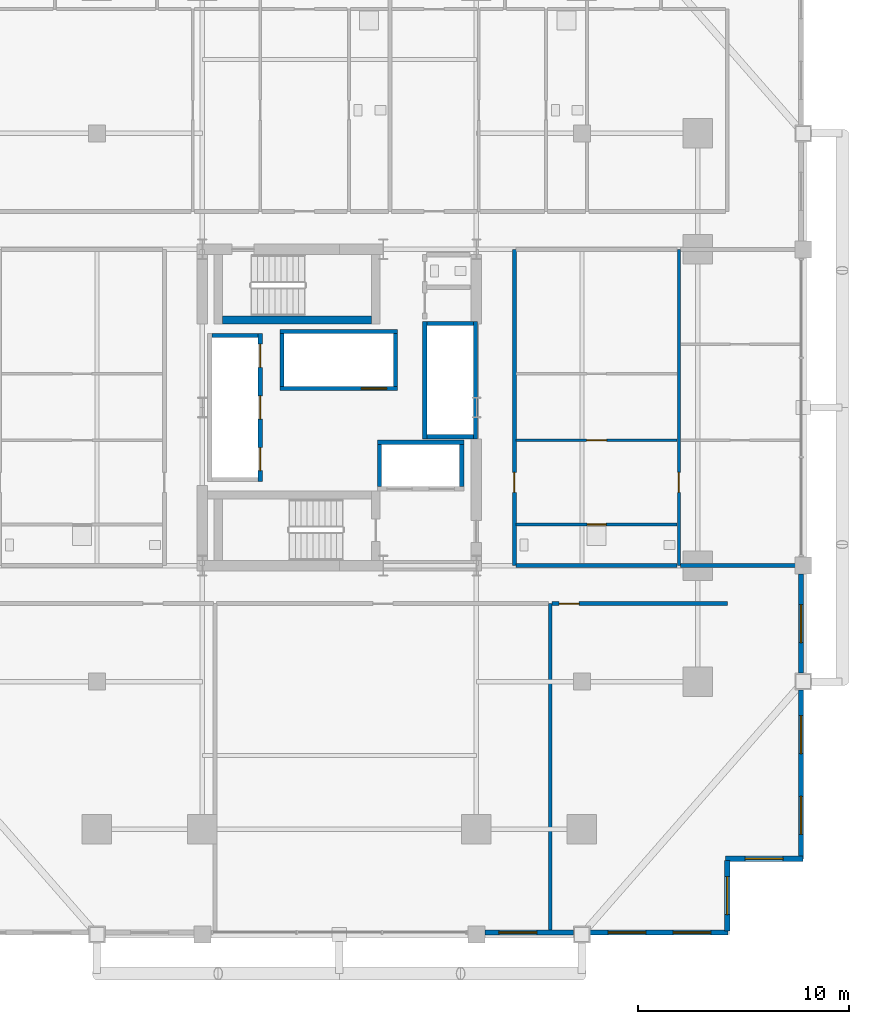
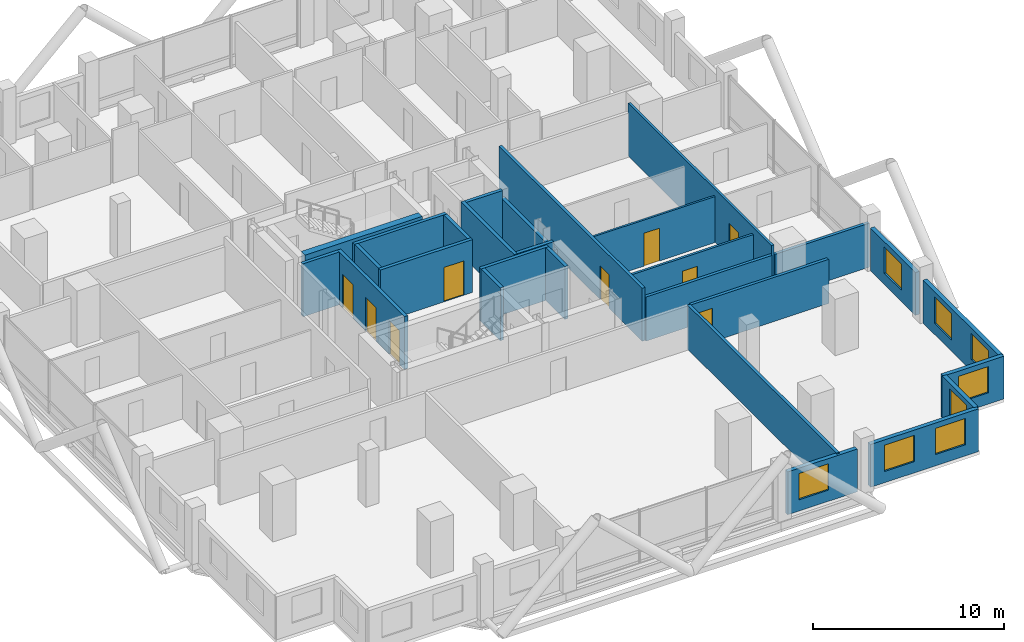
# One storey, part 22 of 27: 28 walls, 9 doors, 8 windows, 17 openings.
"""IFC4 building model written with IfcOpenShell, lengths in metres."""

from ifc_helpers import new_model, si_unit, direction, frame, frame_2d, origin, place, context, subcontext, project, spatial, rectangle, extrude, material, layer, layer_set, type_object, element, fill, save


model = new_model("IFC4")

# Units and contexts
model_context = context("Model", 3, precision=1e-05, world=origin(), true_north=direction((0.0, 1.0)))
body_context = subcontext(model_context, "Body", "Model", "MODEL_VIEW")
ifc_project = project(units=[si_unit("LENGTHUNIT", "METRE"), si_unit("AREAUNIT", "SQUARE_METRE"), si_unit("VOLUMEUNIT", "CUBIC_METRE"), si_unit("PLANEANGLEUNIT", "RADIAN"), si_unit("MASSUNIT", "GRAM", prefix="KILO")], contexts=[model_context])

# Site, building, storey
site_placement = place(None, origin())
site = spatial("IfcSite", under=ifc_project, at=site_placement, CompositionType="ELEMENT")
building_placement = place(site_placement, origin())
building = spatial("IfcBuilding", under=site, at=building_placement, Name="Barlavira Tower and Art Museum", CompositionType="ELEMENT")
storey_placement = place(building_placement, frame((0.0, 0.0, 61.199951171875)))
storey = spatial("IfcBuildingStorey", under=building, at=storey_placement, Name="L14", CompositionType="ELEMENT", Elevation=61.199951171875)

# Wall, opening, door
ifc_material_1 = material(Name="Gypsum acoustic stud partition", Category="gypsum")
ifc_layer_1 = layer(ifc_material_1, 0.1201171875, Name="Gypsum acoustic stud partition")
ifc_layer_set_1 = layer_set([ifc_layer_1], Name="Gypsum acoustic stud partition")
wall_type_1 = type_object("IfcWallType", Name="Apartment Internal Acoustic Partition 120", PredefinedType="PARTITIONING", material=ifc_layer_set_1)
wall_1_placement = place(storey_placement, frame((8.3798828125, -1.550048828125, 0.0), z_axis=(0.0, 0.0, 1.0), x_axis=(1.0, 0.0, 0.0)))
wall_1 = element("IfcWall", 1, at=wall_1_placement, inside=storey, type_object=wall_type_1, Name="L14 Partition Wall 32", PredefinedType="PARTITIONING", context=body_context, shape_type="SweptSolid", body=[
    extrude(rectangle(XDim=7.64013671875, YDim=0.1201171875, at=frame_2d((3.820068359375, 0.0))), origin(), (0.0, 0.0, 1.0), 2.947998046875),
])
opening_1_placement = place(wall_1_placement, frame((3.344970703125, 0.0, 0.0)))
opening_1 = element("IfcOpeningElement", 2, at=opening_1_placement, cuts=wall_1, Name="Opening D-02", PredefinedType="OPENING", context=body_context, shape_type="SweptSolid", body=[
    extrude(rectangle(XDim=0.949951171875, YDim=2.10009765625, at=frame_2d((0.47509765625, 1.050048828125))), frame((0.0, 0.070068359375, 0.0), z_axis=(0.0, -1.0, 0.0), x_axis=(1.0, 0.0, 0.0)), (0.0, 0.0, 1.0), 0.14013671875),
])
ifc_material_2 = material(Name="Engineered coastal hardwood", Category="wood")
door_type_1 = type_object("IfcDoorType", Name="Living and Salon Glazed-Leaf Door 950x2100", OperationType="NOTDEFINED", PredefinedType="DOOR", material=ifc_material_2)
door_1_placement = place(opening_1_placement, origin())
door_1 = element("IfcDoor", 3, at=door_1_placement, inside=storey, type_object=door_type_1, Name="Apartment E1 Kitchen Door", OperationType="SINGLE_SWING_LEFT", OverallHeight=2.10009765625, OverallWidth=0.949951171875, PredefinedType="DOOR", context=body_context, shape_type="SweptSolid", body=[
    extrude(rectangle(XDim=0.949951171875, YDim=2.10009765625, at=frame_2d((0.47509765625, 1.050048828125))), frame((0.0, 0.02490234375, 0.0), z_axis=(0.0, -1.0, 0.0), x_axis=(1.0, 0.0, 0.0)), (0.0, 0.0, 1.0), 0.050048828125),
])
fill(opening_1, door_1)

# Wall, openings, doors
ifc_material_3 = material(Name="Autoclaved aerated concrete masonry", Category="masonry")
ifc_layer_2 = layer(ifc_material_3, 0.199951171875, Name="Autoclaved aerated concrete masonry")
ifc_layer_set_2 = layer_set([ifc_layer_2], Name="Autoclaved aerated concrete masonry")
wall_type_2 = type_object("IfcWallType", Name="Fire Compartment and Shaft Wall 200", PredefinedType="SOLIDWALL", material=ifc_layer_set_2)
wall_2_placement = place(storey_placement, frame((-3.75, -3.510009765625, 0.0), z_axis=(0.0, 0.0, 1.0), x_axis=(0.0, 1.0, 0.0)))
wall_2 = element("IfcWall", 4, at=wall_2_placement, inside=storey, type_object=wall_type_2, Name="L14 Low-Rise Lift Front Shaft Wall", PredefinedType="SOLIDWALL", context=body_context, shape_type="SweptSolid", body=[
    extrude(rectangle(XDim=7.02001953125, YDim=0.199951171875, at=frame_2d((3.510009765625, 0.0))), origin(), (0.0, 0.0, 1.0), 3.380126953125),
])
opening_2_placement = place(wall_2_placement, frame((0.510009765625, 0.0, 0.0)))
opening_2 = element("IfcOpeningElement", 5, at=opening_2_placement, cuts=wall_2, Name="Opening LD-P", PredefinedType="OPENING", context=body_context, shape_type="SweptSolid", body=[
    extrude(rectangle(XDim=1.10009765625, YDim=2.14990234375, at=frame_2d((0.550048828125, 1.074951171875))), frame((0.0, 0.10986328125, 0.0), z_axis=(0.0, -1.0, 0.0), x_axis=(1.0, 0.0, 0.0)), (0.0, 0.0, 1.0), 0.219970703125),
])
opening_3_placement = place(wall_2_placement, frame((2.9599609375, 0.0, 0.0)))
opening_3 = element("IfcOpeningElement", 6, at=opening_3_placement, cuts=wall_2, Name="Opening LD-P", PredefinedType="OPENING", context=body_context, shape_type="SweptSolid", body=[
    extrude(rectangle(XDim=1.10009765625, YDim=2.14990234375, at=frame_2d((0.550048828125, 1.074951171875))), frame((0.0, 0.10986328125, 0.0), z_axis=(0.0, -1.0, 0.0), x_axis=(1.0, 0.0, 0.0)), (0.0, 0.0, 1.0), 0.219970703125),
])
opening_4_placement = place(wall_2_placement, frame((5.409912109375, 0.0, 0.0)))
opening_4 = element("IfcOpeningElement", 7, at=opening_4_placement, cuts=wall_2, Name="Opening LD-P", PredefinedType="OPENING", context=body_context, shape_type="SweptSolid", body=[
    extrude(rectangle(XDim=1.10009765625, YDim=2.14990234375, at=frame_2d((0.550048828125, 1.074951171875))), frame((0.0, 0.10986328125, 0.0), z_axis=(0.0, -1.0, 0.0), x_axis=(1.0, 0.0, 0.0)), (0.0, 0.0, 1.0), 0.219970703125),
])
ifc_material_4 = material(Name="Brushed stainless steel", Category="steel")
door_type_2 = type_object("IfcDoorType", Name="Passenger Lift Sliding Landing Door 1100x2150 FD60", OperationType="NOTDEFINED", PredefinedType="DOOR", material=ifc_material_4)
door_2_placement = place(opening_2_placement, origin())
door_2 = element("IfcDoor", 8, at=door_2_placement, inside=storey, type_object=door_type_2, Name="L14 Lift PL1 Sliding Landing Door", OperationType="DOUBLE_DOOR_SLIDING", OverallHeight=2.14990234375, OverallWidth=1.10009765625, PredefinedType="DOOR", context=body_context, shape_type="SweptSolid", body=[
    extrude(rectangle(XDim=1.10009765625, YDim=2.14990234375, at=frame_2d((0.550048828125, 1.074951171875))), frame((0.0, 0.02490234375, 0.0), z_axis=(0.0, -1.0, 0.0), x_axis=(1.0, 0.0, 0.0)), (0.0, 0.0, 1.0), 0.050048828125),
])
fill(opening_2, door_2)
door_3_placement = place(opening_3_placement, origin())
door_3 = element("IfcDoor", 9, at=door_3_placement, inside=storey, type_object=door_type_2, Name="L14 Lift PL2 Sliding Landing Door", OperationType="DOUBLE_DOOR_SLIDING", OverallHeight=2.14990234375, OverallWidth=1.10009765625, PredefinedType="DOOR", context=body_context, shape_type="SweptSolid", body=[
    extrude(rectangle(XDim=1.10009765625, YDim=2.14990234375, at=frame_2d((0.550048828125, 1.074951171875))), frame((0.0, 0.02490234375, 0.0), z_axis=(0.0, -1.0, 0.0), x_axis=(1.0, 0.0, 0.0)), (0.0, 0.0, 1.0), 0.050048828125),
])
fill(opening_3, door_3)
door_4_placement = place(opening_4_placement, origin())
door_4 = element("IfcDoor", 10, at=door_4_placement, inside=storey, type_object=door_type_2, Name="L14 Lift PL3 Sliding Landing Door", OperationType="DOUBLE_DOOR_SLIDING", OverallHeight=2.14990234375, OverallWidth=1.10009765625, PredefinedType="DOOR", context=body_context, shape_type="SweptSolid", body=[
    extrude(rectangle(XDim=1.10009765625, YDim=2.14990234375, at=frame_2d((0.550048828125, 1.074951171875))), frame((0.0, 0.02490234375, 0.0), z_axis=(0.0, -1.0, 0.0), x_axis=(1.0, 0.0, 0.0)), (0.0, 0.0, 1.0), 0.050048828125),
])
fill(opening_4, door_4)

# Walls
wall_3_placement = place(storey_placement, frame((-6.050048828125, 3.409912109375, 0.0), z_axis=(0.0, 0.0, 1.0), x_axis=(1.0, 0.0, 0.0)))
element("IfcWall", 11, at=wall_3_placement, inside=storey, type_object=wall_type_2, Name="L14 Low-Rise Lift North Shaft Wall", PredefinedType="SOLIDWALL", context=body_context, shape_type="SweptSolid", body=[
    extrude(rectangle(XDim=2.199951171875, YDim=0.199951171875, at=frame_2d((1.10009765625, 0.0))), origin(), (0.0, 0.0, 1.0), 3.380126953125),
])
wall_4_placement = place(storey_placement, frame((4.050048828125, -1.489990234375, 0.0), z_axis=(0.0, 0.0, 1.0), x_axis=(0.0, 1.0, 0.0)))
element("IfcWall", 12, at=wall_4_placement, inside=storey, type_object=wall_type_2, Name="L14 Mid-Rise Lift Front Shaft Wall", PredefinedType="SOLIDWALL", context=body_context, shape_type="SweptSolid", body=[
    extrude(rectangle(XDim=5.580078125, YDim=0.199951171875, at=frame_2d((2.7900390625, 0.0))), origin(), (0.0, 0.0, 1.0), 3.380126953125),
])
wall_5_placement = place(storey_placement, frame((6.449951171875, -1.489990234375, 0.0), z_axis=(0.0, 0.0, 1.0), x_axis=(0.0, 1.0, 0.0)))
element("IfcWall", 13, at=wall_5_placement, inside=storey, type_object=wall_type_2, Name="L14 Mid-Rise Lift Back Shaft Wall", PredefinedType="SOLIDWALL", context=body_context, shape_type="SweptSolid", body=[
    extrude(rectangle(XDim=5.580078125, YDim=0.199951171875, at=frame_2d((2.7900390625, 0.0))), origin(), (0.0, 0.0, 1.0), 2.816162109375),
])
for number, where, z_axis, x_axis, name in (
    (14, (4.14990234375, -1.389892578125, 0.0), (0.0, 0.0, 1.0), (1.0, 0.0, 0.0), "L14 Mid-Rise Lift South Shaft Wall"),
    (15, (4.14990234375, 3.989990234375, 0.0), (0.0, 0.0, 1.0), (1.0, 0.0, 0.0), "L14 Mid-Rise Lift North Shaft Wall"),
):
    element("IfcWall", number, at=place(storey_placement, frame(where, z_axis=z_axis, x_axis=x_axis)), inside=storey, type_object=wall_type_2, Name=name, PredefinedType="SOLIDWALL", context=body_context, shape_type="SweptSolid", body=[
        extrude(rectangle(XDim=2.2001953125, YDim=0.199951171875, at=frame_2d((1.10009765625, 0.0))), origin(), (0.0, 0.0, 1.0), 3.380126953125),
    ])

# Wall, opening, door
wall_6_placement = place(storey_placement, frame((-2.820068359375, 0.89990234375, 0.0), z_axis=(0.0, 0.0, 1.0), x_axis=(1.0, 0.0, 0.0)))
wall_6 = element("IfcWall", 16, at=wall_6_placement, inside=storey, type_object=wall_type_2, Name="L14 High-Rise & Service Lift Front Wall", PredefinedType="SOLIDWALL", context=body_context, shape_type="SweptSolid", body=[
    extrude(rectangle(XDim=5.580078125, YDim=0.199951171875, at=frame_2d((2.7900390625, 0.0))), origin(), (0.0, 0.0, 1.0), 3.380126953125),
])
opening_5_placement = place(wall_6_placement, frame((3.860107421875, 0.0, 0.0)))
opening_5 = element("IfcOpeningElement", 17, at=opening_5_placement, cuts=wall_6, Name="Opening LD-F", PredefinedType="OPENING", context=body_context, shape_type="SweptSolid", body=[
    extrude(rectangle(XDim=1.199951171875, YDim=2.199951171875, at=frame_2d((0.60009765625, 1.10009765625))), frame((0.0, 0.10986328125, 0.0), z_axis=(0.0, -1.0, 0.0), x_axis=(1.0, 0.0, 0.0)), (0.0, 0.0, 1.0), 0.219970703125),
])
door_type_3 = type_object("IfcDoorType", Name="Firefighting and Service Lift Sliding Door 1200x2200 FD120", OperationType="NOTDEFINED", PredefinedType="DOOR", material=ifc_material_4)
door_5_placement = place(opening_5_placement, origin())
door_5 = element("IfcDoor", 18, at=door_5_placement, inside=storey, type_object=door_type_3, Name="L14 Stretcher Service Lift SL1 Sliding Door", OperationType="DOUBLE_DOOR_SLIDING", OverallHeight=2.199951171875, OverallWidth=1.199951171875, PredefinedType="DOOR", context=body_context, shape_type="SweptSolid", body=[
    extrude(rectangle(XDim=1.199951171875, YDim=2.199951171875, at=frame_2d((0.60009765625, 1.10009765625))), frame((0.0, 0.02490234375, 0.0), z_axis=(0.0, -1.0, 0.0), x_axis=(1.0, 0.0, 0.0)), (0.0, 0.0, 1.0), 0.050048828125),
])
fill(opening_5, door_5)

# Walls
wall_7_placement = place(storey_placement, frame((-2.820068359375, 3.60009765625, 0.0), z_axis=(0.0, 0.0, 1.0), x_axis=(1.0, 0.0, 0.0)))
element("IfcWall", 19, at=wall_7_placement, inside=storey, type_object=wall_type_2, Name="L14 High-Rise & Service Lift Back Wall", PredefinedType="SOLIDWALL", context=body_context, shape_type="SweptSolid", body=[
    extrude(rectangle(XDim=5.580078125, YDim=0.199951171875, at=frame_2d((2.7900390625, 0.0))), origin(), (0.0, 0.0, 1.0), 3.380126953125),
])
for number, where, z_axis, x_axis, name in (
    (20, (-2.719970703125, 1.0, 0.0), (0.0, 0.0, 1.0), (0.0, 1.0, 0.0), "L14 High-Rise & Service Lift West Wall"),
    (21, (2.659912109375, 1.0, 0.0), (0.0, 0.0, 1.0), (0.0, 1.0, 0.0), "L14 High-Rise & Service Lift East Wall"),
):
    element("IfcWall", number, at=place(storey_placement, frame(where, z_axis=z_axis, x_axis=x_axis)), inside=storey, type_object=wall_type_2, Name=name, PredefinedType="SOLIDWALL", context=body_context, shape_type="SweptSolid", body=[
        extrude(rectangle(XDim=2.5, YDim=0.199951171875, at=frame_2d((1.25, 0.0))), origin(), (0.0, 0.0, 1.0), 3.380126953125),
    ])
wall_8_placement = place(storey_placement, frame((1.800048828125, -1.64990234375, 0.0), z_axis=(0.0, 0.0, 1.0), x_axis=(1.0, 0.0, 0.0)))
element("IfcWall", 22, at=wall_8_placement, inside=storey, type_object=wall_type_2, Name="L14 Firefighting Lift Back Shaft Wall", PredefinedType="SOLIDWALL", context=body_context, shape_type="SweptSolid", body=[
    extrude(rectangle(XDim=4.099853515625, YDim=0.199951171875, at=frame_2d((2.0498046875, 0.0))), origin(), (0.0, 0.0, 1.0), 3.380126953125),
])
for number, where, z_axis, x_axis, name in (
    (23, (1.89990234375, -3.75, 0.0), (0.0, 0.0, 1.0), (0.0, 1.0, 0.0), "L14 Firefighting Lift West Shaft Wall"),
    (24, (5.800048828125, -3.75, 0.0), (0.0, 0.0, 1.0), (0.0, 1.0, 0.0), "L14 Firefighting Lift East Shaft Wall"),
):
    element("IfcWall", number, at=place(storey_placement, frame(where, z_axis=z_axis, x_axis=x_axis)), inside=storey, type_object=wall_type_2, Name=name, PredefinedType="SOLIDWALL", context=body_context, shape_type="SweptSolid", body=[
        extrude(rectangle(XDim=2.0, YDim=0.199951171875, at=frame_2d((1.0, 0.0))), origin(), (0.0, 0.0, 1.0), 3.380126953125),
    ])

# Wall, opening, door
ifc_layer_3 = layer(ifc_material_1, 0.179931640625, Name="Gypsum acoustic stud partition")
ifc_layer_set_3 = layer_set([ifc_layer_3], Name="Gypsum acoustic stud partition")
wall_type_3 = type_object("IfcWallType", Name="Inter-Tenancy Party Partition Wall 180", PredefinedType="PARTITIONING", material=ifc_layer_set_3)
wall_9_placement = place(storey_placement, frame((8.300048828125, -7.5, 0.0), z_axis=(0.0, 0.0, 1.0), x_axis=(0.0, 1.0, 0.0)))
wall_9 = element("IfcWall", 25, at=wall_9_placement, inside=storey, type_object=wall_type_3, Name="L14 Partition Wall 14", PredefinedType="PARTITIONING", context=body_context, shape_type="SweptSolid", body=[
    extrude(rectangle(XDim=15.0, YDim=0.179931640625, at=frame_2d((7.5, 0.0))), origin(), (0.0, 0.0, 1.0), 3.380126953125),
])
opening_6_placement = place(wall_9_placement, frame((3.47509765625, 0.0, 0.0)))
opening_6 = element("IfcOpeningElement", 26, at=opening_6_placement, cuts=wall_9, Name="Opening FD-60", PredefinedType="OPENING", context=body_context, shape_type="SweptSolid", body=[
    extrude(rectangle(XDim=0.949951171875, YDim=2.14990234375, at=frame_2d((0.47509765625, 1.074951171875))), frame((0.0, 0.10009765625, 0.0), z_axis=(0.0, -1.0, 0.0), x_axis=(1.0, 0.0, 0.0)), (0.0, 0.0, 1.0), 0.199951171875),
])
door_type_4 = type_object("IfcDoorType", Name="Apartment Entrance and Riser Fire Door 950x2150 FD60S", OperationType="NOTDEFINED", PredefinedType="DOOR", material=ifc_material_4)
door_6_placement = place(opening_6_placement, origin())
door_6 = element("IfcDoor", 27, at=door_6_placement, inside=storey, type_object=door_type_4, Name="Apartment Entrance Hall E1 Door", OperationType="SINGLE_SWING_RIGHT", OverallHeight=2.14990234375, OverallWidth=0.949951171875, PredefinedType="DOOR", context=body_context, shape_type="SweptSolid", body=[
    extrude(rectangle(XDim=0.949951171875, YDim=2.14990234375, at=frame_2d((0.47509765625, 1.074951171875))), frame((0.0, 0.02490234375, 0.0), z_axis=(0.0, -1.0, 0.0), x_axis=(1.0, 0.0, 0.0)), (0.0, 0.0, 1.0), 0.050048828125),
])
fill(opening_6, door_6)

# Wall
wall_10_placement = place(storey_placement, frame((10.0, -24.89990234375, 0.0), z_axis=(0.0, 0.0, 1.0), x_axis=(0.0, 1.0, 0.0)))
element("IfcWall", 28, at=wall_10_placement, inside=storey, type_object=wall_type_3, Name="L14 Partition Wall 16", PredefinedType="PARTITIONING", context=body_context, shape_type="SweptSolid", body=[
    extrude(rectangle(XDim=15.599853515625, YDim=0.179931640625, at=frame_2d((7.7998046875, 0.0))), origin(), (0.0, 0.0, 1.0), 2.816162109375),
])

# Wall, opening, door
wall_11_placement = place(storey_placement, frame((10.080078125, -9.300048828125, 0.0), z_axis=(0.0, 0.0, 1.0), x_axis=(1.0, 0.0, 0.0)))
wall_11 = element("IfcWall", 29, at=wall_11_placement, inside=storey, type_object=wall_type_3, Name="L14 Partition Wall 23", PredefinedType="PARTITIONING", context=body_context, shape_type="SweptSolid", body=[
    extrude(rectangle(XDim=8.31982421875, YDim=0.179931640625, at=frame_2d((4.159912109375, 0.0))), origin(), (0.0, 0.0, 1.0), 2.816162109375),
])
opening_7_placement = place(wall_11_placement, frame((0.344970703125, 0.0, 0.0)))
opening_7 = element("IfcOpeningElement", 30, at=opening_7_placement, cuts=wall_11, Name="Opening FD-60", PredefinedType="OPENING", context=body_context, shape_type="SweptSolid", body=[
    extrude(rectangle(XDim=0.949951171875, YDim=2.14990234375, at=frame_2d((0.47509765625, 1.074951171875))), frame((0.0, 0.10009765625, 0.0), z_axis=(0.0, -1.0, 0.0), x_axis=(1.0, 0.0, 0.0)), (0.0, 0.0, 1.0), 0.199951171875),
])
door_7_placement = place(opening_7_placement, origin())
door_7 = element("IfcDoor", 31, at=door_7_placement, inside=storey, type_object=door_type_4, Name="Shared Coworking Espresso Pantry Door", OperationType="SINGLE_SWING_LEFT", OverallHeight=2.14990234375, OverallWidth=0.949951171875, PredefinedType="DOOR", context=body_context, shape_type="SweptSolid", body=[
    extrude(rectangle(XDim=0.949951171875, YDim=2.14990234375, at=frame_2d((0.47509765625, 1.074951171875))), frame((0.0, 0.02490234375, 0.0), z_axis=(0.0, -1.0, 0.0), x_axis=(1.0, 0.0, 0.0)), (0.0, 0.0, 1.0), 0.050048828125),
])
fill(opening_7, door_7)

# Walls
wall_12_placement = place(storey_placement, frame((8.3798828125, -7.5, 0.0), z_axis=(0.0, 0.0, 1.0), x_axis=(1.0, 0.0, 0.0)))
element("IfcWall", 32, at=wall_12_placement, inside=storey, type_object=wall_type_3, Name="L14 Partition Wall 26", PredefinedType="PARTITIONING", context=body_context, shape_type="SweptSolid", body=[
    extrude(rectangle(XDim=7.64013671875, YDim=0.179931640625, at=frame_2d((3.820068359375, 0.0))), origin(), (0.0, 0.0, 1.0), 2.816162109375),
])
wall_13_placement = place(storey_placement, frame((16.179931640625, -7.5, 0.0), z_axis=(0.0, 0.0, 1.0), x_axis=(1.0, 0.0, 0.0)))
element("IfcWall", 33, at=wall_13_placement, inside=storey, type_object=wall_type_3, Name="L14 Partition Wall 27", PredefinedType="PARTITIONING", context=body_context, shape_type="SweptSolid", body=[
    extrude(rectangle(XDim=5.719970703125, YDim=0.179931640625, at=frame_2d((2.85986328125, 0.0))), origin(), (0.0, 0.0, 1.0), 2.816162109375),
])

# Wall, opening, door
ifc_layer_4 = layer(ifc_material_1, 0.139892578125, Name="Gypsum acoustic stud partition")
ifc_layer_set_4 = layer_set([ifc_layer_4], Name="Gypsum acoustic stud partition")
wall_type_4 = type_object("IfcWallType", Name="Moisture-Resistant Bathroom Partition 140", PredefinedType="PARTITIONING", material=ifc_layer_set_4)
wall_14_placement = place(storey_placement, frame((16.10009765625, -7.5, 0.0), z_axis=(0.0, 0.0, 1.0), x_axis=(0.0, 1.0, 0.0)))
wall_14 = element("IfcWall", 34, at=wall_14_placement, inside=storey, type_object=wall_type_4, Name="L14 Partition Wall 19", PredefinedType="PARTITIONING", context=body_context, shape_type="SweptSolid", body=[
    extrude(rectangle(XDim=15.0, YDim=0.139892578125, at=frame_2d((7.5, 0.0))), origin(), (0.0, 0.0, 1.0), 3.380126953125),
])
opening_8_placement = place(wall_14_placement, frame((3.47509765625, 0.0, 0.0)))
opening_8 = element("IfcOpeningElement", 35, at=opening_8_placement, cuts=wall_14, Name="Opening D-02", PredefinedType="OPENING", context=body_context, shape_type="SweptSolid", body=[
    extrude(rectangle(XDim=0.949951171875, YDim=2.10009765625, at=frame_2d((0.47509765625, 1.050048828125))), frame((0.0, 0.080078125, 0.0), z_axis=(0.0, -1.0, 0.0), x_axis=(1.0, 0.0, 0.0)), (0.0, 0.0, 1.0), 0.159912109375),
])
door_8_placement = place(opening_8_placement, origin())
door_8 = element("IfcDoor", 36, at=door_8_placement, inside=storey, type_object=door_type_1, Name="Apartment E1 Living Lounge Door", OperationType="SINGLE_SWING_LEFT", OverallHeight=2.10009765625, OverallWidth=0.949951171875, PredefinedType="DOOR", context=body_context, shape_type="SweptSolid", body=[
    extrude(rectangle(XDim=0.949951171875, YDim=2.10009765625, at=frame_2d((0.47509765625, 1.050048828125))), frame((0.0, 0.02490234375, 0.0), z_axis=(0.0, -1.0, 0.0), x_axis=(1.0, 0.0, 0.0)), (0.0, 0.0, 1.0), 0.050048828125),
])
fill(opening_8, door_8)

wall_15_placement = place(storey_placement, frame((8.3798828125, -5.550048828125, 0.0), z_axis=(0.0, 0.0, 1.0), x_axis=(1.0, 0.0, 0.0)))
wall_15 = element("IfcWall", 37, at=wall_15_placement, inside=storey, type_object=wall_type_4, Name="L14 Partition Wall 29", PredefinedType="PARTITIONING", context=body_context, shape_type="SweptSolid", body=[
    extrude(rectangle(XDim=7.64013671875, YDim=0.139892578125, at=frame_2d((3.820068359375, 0.0))), origin(), (0.0, 0.0, 1.0), 2.947998046875),
])
opening_9_placement = place(wall_15_placement, frame((3.3701171875, 0.0, 0.0)))
opening_9 = element("IfcOpeningElement", 38, at=opening_9_placement, cuts=wall_15, Name="Opening D-WC", PredefinedType="OPENING", context=body_context, shape_type="SweptSolid", body=[
    extrude(rectangle(XDim=0.89990234375, YDim=2.10009765625, at=frame_2d((0.449951171875, 1.050048828125))), frame((0.0, 0.080078125, 0.0), z_axis=(0.0, -1.0, 0.0), x_axis=(1.0, 0.0, 0.0)), (0.0, 0.0, 1.0), 0.159912109375),
])
door_type_5 = type_object("IfcDoorType", Name="Accessible Bathroom Flush Door 900x2100", OperationType="NOTDEFINED", PredefinedType="DOOR", material=ifc_material_2)
door_9_placement = place(opening_9_placement, origin())
door_9 = element("IfcDoor", 39, at=door_9_placement, inside=storey, type_object=door_type_5, Name="Apartment E1 Hall Bathroom Door", OperationType="SINGLE_SWING_LEFT", OverallHeight=2.10009765625, OverallWidth=0.89990234375, PredefinedType="DOOR", context=body_context, shape_type="SweptSolid", body=[
    extrude(rectangle(XDim=0.89990234375, YDim=2.10009765625, at=frame_2d((0.449951171875, 1.050048828125))), frame((0.0, 0.02490234375, 0.0), z_axis=(0.0, -1.0, 0.0), x_axis=(1.0, 0.0, 0.0)), (0.0, 0.0, 1.0), 0.050048828125),
])
fill(opening_9, door_9)

# Wall, opening, window
ifc_material_5 = material(Name="Precast concrete C40", Category="concrete")
ifc_layer_5 = layer(ifc_material_5, 0.25, Name="Precast concrete C40")
ifc_layer_set_5 = layer_set([ifc_layer_5], Name="Precast concrete C40")
wall_type_5 = type_object("IfcWallType", Name="Notched Corner Spandrel Wall 250 Precast Concrete C40", PredefinedType="SOLIDWALL", material=ifc_layer_set_5)
wall_16_placement = place(storey_placement, frame((6.89501953125, -24.89990234375, 0.0), z_axis=(0.0, 0.0, 1.0), x_axis=(1.0, 0.0, 0.0)))
wall_16 = element("IfcWall", 40, at=wall_16_placement, inside=storey, type_object=wall_type_5, Name="L14 Coastal Facade Pier Wall CW1-L14-S-4", PredefinedType="SOLIDWALL", context=body_context, shape_type="SweptSolid", body=[
    extrude(rectangle(XDim=4.2099609375, YDim=0.25, at=frame_2d((2.10498046875, 0.0))), origin(), (0.0, 0.0, 1.0), 2.736083984375),
])
opening_10_placement = place(wall_16_placement, frame((0.675048828125, 0.0, 0.719970703125)))
opening_10 = element("IfcOpeningElement", 41, at=opening_10_placement, cuts=wall_16, Name="Opening WN-01", PredefinedType="OPENING", context=body_context, shape_type="SweptSolid", body=[
    extrude(rectangle(XDim=1.800048828125, YDim=1.679931640625, at=frame_2d((0.89990234375, 0.83984375))), frame((0.0, 0.135009765625, 0.0), z_axis=(0.0, -1.0, 0.0), x_axis=(1.0, 0.0, 0.0)), (0.0, 0.0, 1.0), 0.27001953125),
])
ifc_material_6 = material(Name="Low-iron coastal laminated glass", Category="glass")
window_type = type_object("IfcWindowType", Name="Recessed Notch Corner Punch Window 1800x1680", PartitioningType="SINGLE_PANEL", PredefinedType="WINDOW", material=ifc_material_6)
window_1_placement = place(opening_10_placement, origin())
window_1 = element("IfcWindow", 42, at=window_1_placement, inside=storey, type_object=window_type, Name="L14 Punched Facade Window EWP-CW1-L14-S-4-1", OverallHeight=1.679931640625, OverallWidth=1.800048828125, PartitioningType="SINGLE_PANEL", PredefinedType="WINDOW", context=body_context, shape_type="SweptSolid", body=[
    extrude(rectangle(XDim=1.800048828125, YDim=1.679931640625, at=frame_2d((0.89990234375, 0.83984375))), frame((0.0, 0.030029296875, 0.0), z_axis=(0.0, -1.0, 0.0), x_axis=(1.0, 0.0, 0.0)), (0.0, 0.0, 1.0), 0.06005859375),
])
fill(opening_10, window_1)

# Wall, openings, windows
wall_17_placement = place(storey_placement, frame((11.89501953125, -24.89990234375, 0.0), z_axis=(0.0, 0.0, 1.0), x_axis=(1.0, 0.0, 0.0)))
wall_17 = element("IfcWall", 43, at=wall_17_placement, inside=storey, type_object=wall_type_5, Name="L14 Coastal Facade Pier Wall CW1-L14-S-5", PredefinedType="SOLIDWALL", context=body_context, shape_type="SweptSolid", body=[
    extrude(rectangle(XDim=6.530029296875, YDim=0.25, at=frame_2d((3.26513671875, 0.0))), origin(), (0.0, 0.0, 1.0), 2.736083984375),
])
opening_11_placement = place(wall_17_placement, frame((0.845947265625, 0.0, 0.719970703125)))
opening_11 = element("IfcOpeningElement", 44, at=opening_11_placement, cuts=wall_17, Name="Opening WN-01", PredefinedType="OPENING", context=body_context, shape_type="SweptSolid", body=[
    extrude(rectangle(XDim=1.800048828125, YDim=1.679931640625, at=frame_2d((0.89990234375, 0.83984375))), frame((0.0, 0.135009765625, 0.0), z_axis=(0.0, -1.0, 0.0), x_axis=(1.0, 0.0, 0.0)), (0.0, 0.0, 1.0), 0.27001953125),
])
opening_12_placement = place(wall_17_placement, frame((3.928955078125, 0.0, 0.719970703125)))
opening_12 = element("IfcOpeningElement", 45, at=opening_12_placement, cuts=wall_17, Name="Opening WN-01", PredefinedType="OPENING", context=body_context, shape_type="SweptSolid", body=[
    extrude(rectangle(XDim=1.800048828125, YDim=1.679931640625, at=frame_2d((0.89990234375, 0.83984375))), frame((0.0, 0.135009765625, 0.0), z_axis=(0.0, -1.0, 0.0), x_axis=(1.0, 0.0, 0.0)), (0.0, 0.0, 1.0), 0.27001953125),
])
window_2_placement = place(opening_11_placement, origin())
window_2 = element("IfcWindow", 46, at=window_2_placement, inside=storey, type_object=window_type, Name="L14 Punched Facade Window EWP-CW1-L14-S-5-1", OverallHeight=1.679931640625, OverallWidth=1.800048828125, PartitioningType="SINGLE_PANEL", PredefinedType="WINDOW", context=body_context, shape_type="SweptSolid", body=[
    extrude(rectangle(XDim=1.800048828125, YDim=1.679931640625, at=frame_2d((0.89990234375, 0.83984375))), frame((0.0, 0.030029296875, 0.0), z_axis=(0.0, -1.0, 0.0), x_axis=(1.0, 0.0, 0.0)), (0.0, 0.0, 1.0), 0.06005859375),
])
fill(opening_11, window_2)
window_3_placement = place(opening_12_placement, origin())
window_3 = element("IfcWindow", 47, at=window_3_placement, inside=storey, type_object=window_type, Name="L14 Punched Facade Window EWP-CW1-L14-S-5-2", OverallHeight=1.679931640625, OverallWidth=1.800048828125, PartitioningType="SINGLE_PANEL", PredefinedType="WINDOW", context=body_context, shape_type="SweptSolid", body=[
    extrude(rectangle(XDim=1.800048828125, YDim=1.679931640625, at=frame_2d((0.89990234375, 0.83984375))), frame((0.0, 0.030029296875, 0.0), z_axis=(0.0, -1.0, 0.0), x_axis=(1.0, 0.0, 0.0)), (0.0, 0.0, 1.0), 0.06005859375),
])
fill(opening_12, window_3)

wall_18_placement = place(storey_placement, frame((21.89990234375, -21.425048828125, 0.0), z_axis=(0.0, 0.0, 1.0), x_axis=(0.0, 1.0, 0.0)))
wall_18 = element("IfcWall", 48, at=wall_18_placement, inside=storey, type_object=wall_type_5, Name="L14 Coastal Facade Pier Wall CW1-L14-E-1", PredefinedType="SOLIDWALL", context=body_context, shape_type="SweptSolid", body=[
    extrude(rectangle(XDim=8.030029296875, YDim=0.25, at=frame_2d((4.01513671875, 0.0))), origin(), (0.0, 0.0, 1.0), 2.736083984375),
])
opening_13_placement = place(wall_18_placement, frame((1.176025390625, 0.0, 0.719970703125)))
opening_13 = element("IfcOpeningElement", 49, at=opening_13_placement, cuts=wall_18, Name="Opening WN-01", PredefinedType="OPENING", context=body_context, shape_type="SweptSolid", body=[
    extrude(rectangle(XDim=1.800048828125, YDim=1.679931640625, at=frame_2d((0.89990234375, 0.83984375))), frame((0.0, 0.135009765625, 0.0), z_axis=(0.0, -1.0, 0.0), x_axis=(1.0, 0.0, 0.0)), (0.0, 0.0, 1.0), 0.27001953125),
])
opening_14_placement = place(wall_18_placement, frame((5.009033203125, 0.0, 0.719970703125)))
opening_14 = element("IfcOpeningElement", 50, at=opening_14_placement, cuts=wall_18, Name="Opening WN-01", PredefinedType="OPENING", context=body_context, shape_type="SweptSolid", body=[
    extrude(rectangle(XDim=1.800048828125, YDim=1.679931640625, at=frame_2d((0.89990234375, 0.83984375))), frame((0.0, 0.135009765625, 0.0), z_axis=(0.0, -1.0, 0.0), x_axis=(1.0, 0.0, 0.0)), (0.0, 0.0, 1.0), 0.27001953125),
])
window_4_placement = place(opening_13_placement, origin())
window_4 = element("IfcWindow", 51, at=window_4_placement, inside=storey, type_object=window_type, Name="L14 Punched Facade Window EWP-CW1-L14-E-1-1", OverallHeight=1.679931640625, OverallWidth=1.800048828125, PartitioningType="SINGLE_PANEL", PredefinedType="WINDOW", context=body_context, shape_type="SweptSolid", body=[
    extrude(rectangle(XDim=1.800048828125, YDim=1.679931640625, at=frame_2d((0.89990234375, 0.83984375))), frame((0.0, 0.030029296875, 0.0), z_axis=(0.0, -1.0, 0.0), x_axis=(1.0, 0.0, 0.0)), (0.0, 0.0, 1.0), 0.06005859375),
])
fill(opening_13, window_4)
window_5_placement = place(opening_14_placement, origin())
window_5 = element("IfcWindow", 52, at=window_5_placement, inside=storey, type_object=window_type, Name="L14 Punched Facade Window EWP-CW1-L14-E-1-2", OverallHeight=1.679931640625, OverallWidth=1.800048828125, PartitioningType="SINGLE_PANEL", PredefinedType="WINDOW", context=body_context, shape_type="SweptSolid", body=[
    extrude(rectangle(XDim=1.800048828125, YDim=1.679931640625, at=frame_2d((0.89990234375, 0.83984375))), frame((0.0, 0.030029296875, 0.0), z_axis=(0.0, -1.0, 0.0), x_axis=(1.0, 0.0, 0.0)), (0.0, 0.0, 1.0), 0.06005859375),
])
fill(opening_14, window_5)

# Wall, opening, window
wall_19_placement = place(storey_placement, frame((21.89990234375, -12.60498046875, 0.0), z_axis=(0.0, 0.0, 1.0), x_axis=(0.0, 1.0, 0.0)))
wall_19 = element("IfcWall", 53, at=wall_19_placement, inside=storey, type_object=wall_type_5, Name="L14 Coastal Facade Pier Wall CW1-L14-E-2", PredefinedType="SOLIDWALL", context=body_context, shape_type="SweptSolid", body=[
    extrude(rectangle(XDim=4.7099609375, YDim=0.25, at=frame_2d((2.35498046875, 0.0))), origin(), (0.0, 0.0, 1.0), 2.736083984375),
])
opening_15_placement = place(wall_19_placement, frame((1.455078125, 0.0, 0.719970703125)))
opening_15 = element("IfcOpeningElement", 54, at=opening_15_placement, cuts=wall_19, Name="Opening WN-01", PredefinedType="OPENING", context=body_context, shape_type="SweptSolid", body=[
    extrude(rectangle(XDim=1.800048828125, YDim=1.679931640625, at=frame_2d((0.89990234375, 0.83984375))), frame((0.0, 0.135009765625, 0.0), z_axis=(0.0, -1.0, 0.0), x_axis=(1.0, 0.0, 0.0)), (0.0, 0.0, 1.0), 0.27001953125),
])
window_6_placement = place(opening_15_placement, origin())
window_6 = element("IfcWindow", 55, at=window_6_placement, inside=storey, type_object=window_type, Name="L14 Punched Facade Window EWP-CW1-L14-E-2-1", OverallHeight=1.679931640625, OverallWidth=1.800048828125, PartitioningType="SINGLE_PANEL", PredefinedType="WINDOW", context=body_context, shape_type="SweptSolid", body=[
    extrude(rectangle(XDim=1.800048828125, YDim=1.679931640625, at=frame_2d((0.89990234375, 0.83984375))), frame((0.0, 0.030029296875, 0.0), z_axis=(0.0, -1.0, 0.0), x_axis=(1.0, 0.0, 0.0)), (0.0, 0.0, 1.0), 0.06005859375),
])
fill(opening_15, window_6)

wall_20_placement = place(storey_placement, frame((18.39990234375, -24.820068359375, 0.0), z_axis=(0.0, 0.0, 1.0), x_axis=(0.0, 1.0, 0.0)))
wall_20 = element("IfcWall", 56, at=wall_20_placement, inside=storey, type_object=wall_type_5, Name="L14 Notch Corner Wall SE1", PredefinedType="SOLIDWALL", context=body_context, shape_type="SweptSolid", body=[
    extrude(rectangle(XDim=3.340087890625, YDim=0.25, at=frame_2d((1.669921875, 0.0))), origin(), (0.0, 0.0, 1.0), 2.736083984375),
])
opening_16_placement = place(wall_20_placement, frame((0.77001953125, 0.0, 0.719970703125)))
opening_16 = element("IfcOpeningElement", 57, at=opening_16_placement, cuts=wall_20, Name="Opening WN-01", PredefinedType="OPENING", context=body_context, shape_type="SweptSolid", body=[
    extrude(rectangle(XDim=1.800048828125, YDim=1.679931640625, at=frame_2d((0.89990234375, 0.83984375))), frame((0.0, 0.135009765625, 0.0), z_axis=(0.0, -1.0, 0.0), x_axis=(1.0, 0.0, 0.0)), (0.0, 0.0, 1.0), 0.27001953125),
])
window_7_placement = place(opening_16_placement, origin())
window_7 = element("IfcWindow", 58, at=window_7_placement, inside=storey, type_object=window_type, Name="L14 Punched Facade Window EW-NTC-L14-SE1-1", OverallHeight=1.679931640625, OverallWidth=1.800048828125, PartitioningType="SINGLE_PANEL", PredefinedType="WINDOW", context=body_context, shape_type="SweptSolid", body=[
    extrude(rectangle(XDim=1.800048828125, YDim=1.679931640625, at=frame_2d((0.89990234375, 0.83984375))), frame((0.0, 0.030029296875, 0.0), z_axis=(0.0, -1.0, 0.0), x_axis=(1.0, 0.0, 0.0)), (0.0, 0.0, 1.0), 0.06005859375),
])
fill(opening_16, window_7)

wall_21_placement = place(storey_placement, frame((18.320068359375, -21.39990234375, 0.0), z_axis=(0.0, 0.0, 1.0), x_axis=(1.0, 0.0, 0.0)))
wall_21 = element("IfcWall", 59, at=wall_21_placement, inside=storey, type_object=wall_type_5, Name="L14 Notch Corner Wall SE2", PredefinedType="SOLIDWALL", context=body_context, shape_type="SweptSolid", body=[
    extrude(rectangle(XDim=3.659912109375, YDim=0.25, at=frame_2d((1.830078125, 0.0))), origin(), (0.0, 0.0, 1.0), 2.736083984375),
])
opening_17_placement = place(wall_21_placement, frame((0.929931640625, 0.0, 0.719970703125)))
opening_17 = element("IfcOpeningElement", 60, at=opening_17_placement, cuts=wall_21, Name="Opening WN-01", PredefinedType="OPENING", context=body_context, shape_type="SweptSolid", body=[
    extrude(rectangle(XDim=1.800048828125, YDim=1.679931640625, at=frame_2d((0.89990234375, 0.83984375))), frame((0.0, 0.135009765625, 0.0), z_axis=(0.0, -1.0, 0.0), x_axis=(1.0, 0.0, 0.0)), (0.0, 0.0, 1.0), 0.27001953125),
])
window_8_placement = place(opening_17_placement, origin())
window_8 = element("IfcWindow", 61, at=window_8_placement, inside=storey, type_object=window_type, Name="L14 Punched Facade Window EW-NTC-L14-SE2-1", OverallHeight=1.679931640625, OverallWidth=1.800048828125, PartitioningType="SINGLE_PANEL", PredefinedType="WINDOW", context=body_context, shape_type="SweptSolid", body=[
    extrude(rectangle(XDim=1.800048828125, YDim=1.679931640625, at=frame_2d((0.89990234375, 0.83984375))), frame((0.0, 0.030029296875, 0.0), z_axis=(0.0, -1.0, 0.0), x_axis=(1.0, 0.0, 0.0)), (0.0, 0.0, 1.0), 0.06005859375),
])
fill(opening_17, window_8)

# Wall
ifc_material_7 = material(Name="Concrete C55", Category="concrete")
ifc_layer_6 = layer(ifc_material_7, 0.39990234375, Name="Concrete C55")
ifc_layer_set_6 = layer_set([ifc_layer_6], Name="Concrete C55")
wall_type_6 = type_object("IfcWallType", Name="Upper Core Shear Wall 400 Concrete C55", PredefinedType="SHEAR", material=ifc_layer_set_6)
wall_22_placement = place(storey_placement, frame((-5.550048828125, 4.14990234375, 0.0), z_axis=(0.0, 0.0, 1.0), x_axis=(1.0, 0.0, 0.0)))
element("IfcWall", 62, at=wall_22_placement, inside=storey, type_object=wall_type_6, Name="L14 ST-T2 South Shaft Wall", PredefinedType="SHEAR", context=body_context, shape_type="SweptSolid", body=[
    extrude(rectangle(XDim=7.080078125, YDim=0.39990234375, at=frame_2d((3.5400390625, 0.0))), origin(), (0.0, 0.0, 1.0), 3.380126953125),
])

save(model, "model.ifc")
